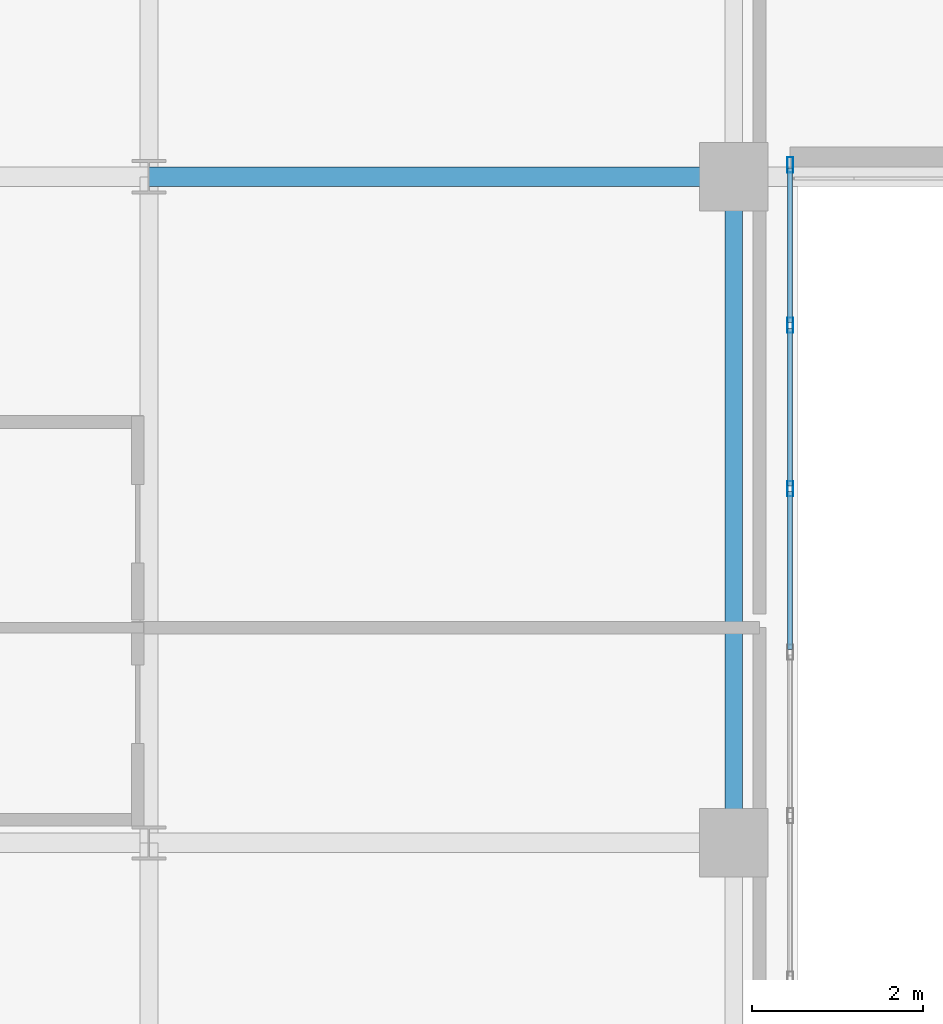
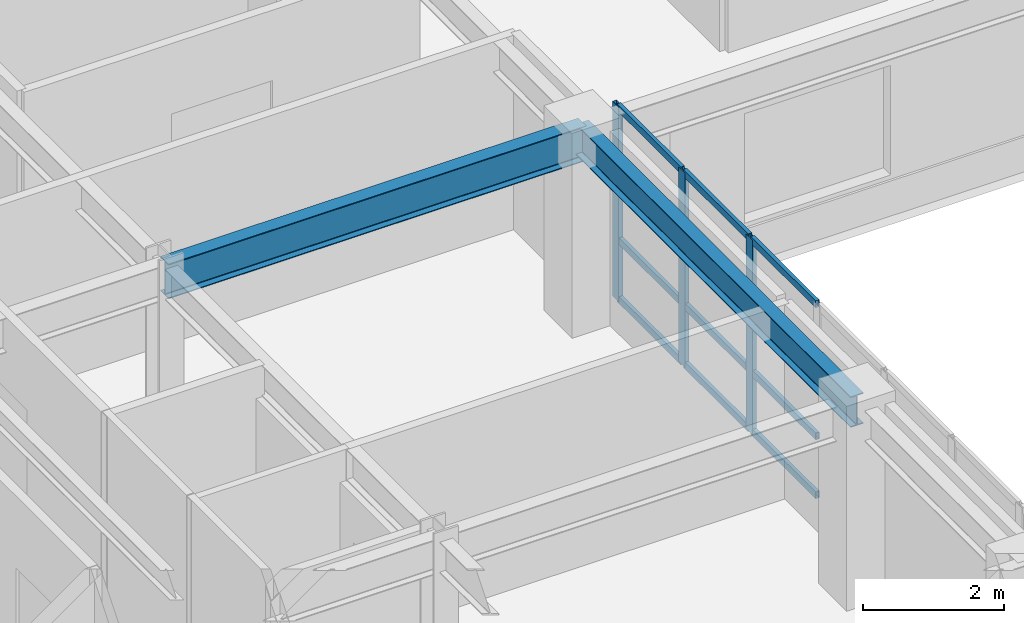
# One storey, part 5 of 20: 12 members, 2 beams, 1 element without a shape of its own.
"""IFC4 building model written with IfcOpenShell, lengths in metres."""

from ifc_helpers import new_model, si_unit, direction, frame, origin, origin_2d, place, context, subcontext, project, spatial, hollow_rectangle, i_section, extrude, source, transform, mapped, material, layer, layer_set, material_profile, profile_set, type_object, type_shapes, element, aggregate, save


model = new_model("IFC4")

# Units and contexts
model_context = context("Model", 3, precision=1e-05, world=origin(), true_north=direction((0.0, 1.0)))
body_context = subcontext(model_context, "Body", "Model", "MODEL_VIEW")
ifc_project = project(units=[si_unit("LENGTHUNIT", "METRE"), si_unit("AREAUNIT", "SQUARE_METRE"), si_unit("VOLUMEUNIT", "CUBIC_METRE"), si_unit("PLANEANGLEUNIT", "RADIAN"), si_unit("MASSUNIT", "GRAM", prefix="KILO")], contexts=[model_context])

# Site, building, storey
site_placement = place(None, origin())
site = spatial("IfcSite", under=ifc_project, at=site_placement, CompositionType="ELEMENT")
building_placement = place(site_placement, origin())
building = spatial("IfcBuilding", under=site, at=building_placement, Name="Tolvann Quenvar Hotel", CompositionType="ELEMENT")
storey_placement = place(building_placement, frame((0.0, 0.0, 175.449951171875)))
storey = spatial("IfcBuildingStorey", under=building, at=storey_placement, Name="L46", CompositionType="ELEMENT", Elevation=175.449951171875)

# Beams
ifc_material_1 = material(Name="Steel Grade 350", Category="steel")
ifc_material_profile_1 = material_profile(ifc_material_1, i_section(OverallWidth=0.208984375, OverallDepth=0.532958984375, WebThickness=0.01025390625, FlangeThickness=0.015625, FilletRadius=0.013916015625, at=origin_2d()), Name="530UB92")
ifc_profile_set_1 = profile_set([ifc_material_profile_1], Name="Steel Grade 350")
beam_type_1 = type_object("IfcBeamType", Name="BM_GIRD_530UB92", PredefinedType="BEAM", material=ifc_profile_set_1)
shared_shape_1 = source(origin(), body_context, "Body", "SweptSolid", [
    extrude(i_section(OverallWidth=0.208984375, OverallDepth=0.532958984375, WebThickness=0.01025390625, FlangeThickness=0.015625, FilletRadius=0.013916015625, at=origin_2d()), origin(), (0.0, 0.0, 1.0), 7.800048828125),
])
type_shapes(beam_type_1, [shared_shape_1])
beam_1_placement = place(storey_placement, frame((22.050048828125, 8.199951171875, 3.103515625), z_axis=(0.0, 1.0, 0.0), x_axis=(-1.0, 0.0, 0.0)))
element("IfcBeam", 1, at=beam_1_placement, inside=storey, type_object=beam_type_1, Name="BM-L46-NS-E3-E4", PredefinedType="BEAM", context=body_context, shape_type="MappedRepresentation", body=[
    mapped(shared_shape_1, transform((0.0, 0.0, 0.0), x_axis=(1.0, 0.0, 0.0), y_axis=(0.0, 1.0, 0.0), z_axis=(0.0, 0.0, 1.0), scale=1.0)),
])
ifc_material_profile_2 = material_profile(ifc_material_1, i_section(OverallWidth=0.22802734375, OverallDepth=0.60205078125, WebThickness=0.010498046875, FlangeThickness=0.014892578125, FilletRadius=0.013916015625, at=origin_2d()), Name="610UB101")
ifc_profile_set_2 = profile_set([ifc_material_profile_2], Name="Steel Grade 350")
beam_type_2 = type_object("IfcBeamType", Name="BM_GIRD_610UB101", PredefinedType="BEAM", material=ifc_profile_set_2)
shared_shape_2 = source(origin(), body_context, "Body", "SweptSolid", [
    extrude(i_section(OverallWidth=0.22802734375, OverallDepth=0.60205078125, WebThickness=0.010498046875, FlangeThickness=0.014892578125, FilletRadius=0.013916015625, at=origin_2d()), origin(), (0.0, 0.0, 1.0), 6.85009765625),
])
type_shapes(beam_type_2, [shared_shape_2])
beam_2_placement = place(storey_placement, frame((15.199951171875, 16.0, 3.069091796875), z_axis=(1.0, 0.0, 0.0), x_axis=(0.0, 1.0, 0.0)))
element("IfcBeam", 2, at=beam_2_placement, inside=storey, type_object=beam_type_2, Name="BM-L46-EW-4-D4-E4", PredefinedType="BEAM", context=body_context, shape_type="MappedRepresentation", body=[
    mapped(shared_shape_2, transform((0.0, 0.0, 0.0), x_axis=(1.0, 0.0, 0.0), y_axis=(0.0, 1.0, 0.0), z_axis=(0.0, 0.0, 1.0), scale=1.0)),
])

# Curtain wall, members
ifc_material_2 = material(Name="Thermally broken anodised architectural aluminium 6063-T6 and laminated low-E glass", Category="aluminium")
ifc_layer = layer(ifc_material_2, 0.179931640625)
ifc_layer_set = layer_set([ifc_layer], Name="Thermally broken anodised architectural aluminium 6063-T6 and laminated low-E glass")
curtain_wall_type = type_object("IfcCurtainWallType", Name="CW_SYS_SLOT_03", PredefinedType="USERDEFINED", material=ifc_layer_set)
curtain_wall_placement = place(storey_placement, origin())
curtain_wall = element("IfcCurtainWall", 3, at=curtain_wall_placement, inside=storey, type_object=curtain_wall_type, Name="Curtain Wall CW-SLOT-03 (CWR-L46-E05)", ObjectType="UNITISED CURTAIN WALL", PredefinedType="USERDEFINED")
ifc_material_3 = material(Name="Anodised architectural aluminium 6063-T6 framing", Category="aluminium")
ifc_material_profile_3 = material_profile(ifc_material_3, hollow_rectangle(XDim=0.070068359375, YDim=0.179931640625, WallThickness=0.00390625, at=origin_2d()), Name="180x70x4RHS")
ifc_profile_set_3 = profile_set([ifc_material_profile_3], Name="Anodised architectural aluminium 6063-T6 framing")
member_type_1 = type_object("IfcMemberType", Name="CW_MULL_180x70", PredefinedType="MULLION", material=ifc_profile_set_3)
shared_shape_3 = source(origin(), body_context, "Body", "SweptSolid", [
    extrude(hollow_rectangle(XDim=0.070068359375, YDim=0.179931640625, WallThickness=0.00390625, at=origin_2d()), origin(), (0.0, 0.0, 1.0), 3.3701171875),
])
type_shapes(member_type_1, [shared_shape_3])
member_1_placement = place(storey_placement, frame((22.7099609375, 12.346435546875, 0.0), z_axis=(0.0, 0.0, 1.0), x_axis=(-1.0, 0.0, 0.0)))
member_1 = element("IfcMember", 4, at=member_1_placement, type_object=member_type_1, Name="CW-SLOT-03 mullion 6", PredefinedType="MULLION", context=body_context, shape_type="MappedRepresentation", body=[
    mapped(shared_shape_3, transform((0.0, 0.0, 0.0), x_axis=(1.0, 0.0, 0.0), y_axis=(0.0, 1.0, 0.0), z_axis=(0.0, 0.0, 1.0), scale=1.0)),
])
member_2_placement = place(storey_placement, frame((22.7099609375, 14.2607421875, 0.0), z_axis=(0.0, 0.0, 1.0), x_axis=(-1.0, 0.0, 0.0)))
member_2 = element("IfcMember", 5, at=member_2_placement, type_object=member_type_1, Name="CW-SLOT-03 mullion 7", PredefinedType="MULLION", context=body_context, shape_type="MappedRepresentation", body=[
    mapped(shared_shape_3, transform((0.0, 0.0, 0.0), x_axis=(1.0, 0.0, 0.0), y_axis=(0.0, 1.0, 0.0), z_axis=(0.0, 0.0, 1.0), scale=1.0)),
])
member_3_placement = place(storey_placement, frame((22.7099609375, 16.139892578125, 0.0), z_axis=(0.0, 0.0, 1.0), x_axis=(-1.0, 0.0, 0.0)))
member_3 = element("IfcMember", 6, at=member_3_placement, type_object=member_type_1, Name="CW-SLOT-03 mullion 8", PredefinedType="MULLION", context=body_context, shape_type="MappedRepresentation", body=[
    mapped(shared_shape_3, transform((0.0, 0.0, 0.0), x_axis=(1.0, 0.0, 0.0), y_axis=(0.0, 1.0, 0.0), z_axis=(0.0, 0.0, 1.0), scale=1.0)),
])
ifc_material_profile_4 = material_profile(ifc_material_3, hollow_rectangle(XDim=0.06005859375, YDim=0.1201171875, WallThickness=0.00341796875, at=origin_2d()), Name="120x60x3.5RHS")
ifc_profile_set_4 = profile_set([ifc_material_profile_4], Name="Anodised architectural aluminium 6063-T6 framing")
member_type_2 = type_object("IfcMemberType", Name="CW_TRAN_120x60", PredefinedType="USERDEFINED", material=ifc_profile_set_4)
shared_shape_4 = source(origin(), body_context, "Body", "SweptSolid", [
    extrude(hollow_rectangle(XDim=0.06005859375, YDim=0.1201171875, WallThickness=0.00341796875, at=origin_2d()), origin(), (0.0, 0.0, 1.0), 1.809326171875),
])
member_4_placement = place(storey_placement, frame((22.7099609375, 14.295654296875, 0.030029296875), z_axis=(0.0, 1.0, 0.0), x_axis=(-1.0, 0.0, 0.0)))
member_4 = element("IfcMember", 7, at=member_4_placement, type_object=member_type_2, Name="CW-SLOT-03 transom 7.1", ObjectType="TRANSOM", PredefinedType="USERDEFINED", context=body_context, shape_type="MappedRepresentation", body=[
    mapped(shared_shape_4, transform((0.0, 0.0, 0.0), x_axis=(1.0, 0.0, 0.0), y_axis=(0.0, 1.0, 0.0), z_axis=(0.0, 0.0, 1.0), scale=1.0)),
])
member_5_placement = place(storey_placement, frame((22.7099609375, 14.295654296875, 1.050048828125), z_axis=(0.0, 1.0, 0.0), x_axis=(-1.0, 0.0, 0.0)))
member_5 = element("IfcMember", 8, at=member_5_placement, type_object=member_type_2, Name="CW-SLOT-03 transom 7.2", ObjectType="TRANSOM", PredefinedType="USERDEFINED", context=body_context, shape_type="MappedRepresentation", body=[
    mapped(shared_shape_4, transform((0.0, 0.0, 0.0), x_axis=(1.0, 0.0, 0.0), y_axis=(0.0, 1.0, 0.0), z_axis=(0.0, 0.0, 1.0), scale=1.0)),
])
member_6_placement = place(storey_placement, frame((22.7099609375, 14.295654296875, 3.340087890625), z_axis=(0.0, 1.0, 0.0), x_axis=(-1.0, 0.0, 0.0)))
member_6 = element("IfcMember", 9, at=member_6_placement, type_object=member_type_2, Name="CW-SLOT-03 transom 7.3", ObjectType="TRANSOM", PredefinedType="USERDEFINED", context=body_context, shape_type="MappedRepresentation", body=[
    mapped(shared_shape_4, transform((0.0, 0.0, 0.0), x_axis=(1.0, 0.0, 0.0), y_axis=(0.0, 1.0, 0.0), z_axis=(0.0, 0.0, 1.0), scale=1.0)),
])
shared_shape_5 = source(origin(), body_context, "Body", "SweptSolid", [
    extrude(hollow_rectangle(XDim=0.06005859375, YDim=0.1201171875, WallThickness=0.00341796875, at=origin_2d()), origin(), (0.0, 0.0, 1.0), 1.844482421875),
])
type_shapes(member_type_2, [shared_shape_4, shared_shape_5])
member_7_placement = place(storey_placement, frame((22.7099609375, 10.467041015625, 0.030029296875), z_axis=(0.0, 1.0, 0.0), x_axis=(-1.0, 0.0, 0.0)))
member_7 = element("IfcMember", 10, at=member_7_placement, type_object=member_type_2, Name="CW-SLOT-03 transom 5.1", ObjectType="TRANSOM", PredefinedType="USERDEFINED", context=body_context, shape_type="MappedRepresentation", body=[
    mapped(shared_shape_5, transform((0.0, 0.0, 0.0), x_axis=(1.0, 0.0, 0.0), y_axis=(0.0, 1.0, 0.0), z_axis=(0.0, 0.0, 1.0), scale=1.0)),
])
member_8_placement = place(storey_placement, frame((22.7099609375, 10.467041015625, 1.050048828125), z_axis=(0.0, 1.0, 0.0), x_axis=(-1.0, 0.0, 0.0)))
member_8 = element("IfcMember", 11, at=member_8_placement, type_object=member_type_2, Name="CW-SLOT-03 transom 5.2", ObjectType="TRANSOM", PredefinedType="USERDEFINED", context=body_context, shape_type="MappedRepresentation", body=[
    mapped(shared_shape_5, transform((0.0, 0.0, 0.0), x_axis=(1.0, 0.0, 0.0), y_axis=(0.0, 1.0, 0.0), z_axis=(0.0, 0.0, 1.0), scale=1.0)),
])
member_9_placement = place(storey_placement, frame((22.7099609375, 10.467041015625, 3.340087890625), z_axis=(0.0, 1.0, 0.0), x_axis=(-1.0, 0.0, 0.0)))
member_9 = element("IfcMember", 12, at=member_9_placement, type_object=member_type_2, Name="CW-SLOT-03 transom 5.3", ObjectType="TRANSOM", PredefinedType="USERDEFINED", context=body_context, shape_type="MappedRepresentation", body=[
    mapped(shared_shape_5, transform((0.0, 0.0, 0.0), x_axis=(1.0, 0.0, 0.0), y_axis=(0.0, 1.0, 0.0), z_axis=(0.0, 0.0, 1.0), scale=1.0)),
])
member_10_placement = place(storey_placement, frame((22.7099609375, 12.38134765625, 0.030029296875), z_axis=(0.0, 1.0, 0.0), x_axis=(-1.0, 0.0, 0.0)))
member_10 = element("IfcMember", 13, at=member_10_placement, type_object=member_type_2, Name="CW-SLOT-03 transom 6.1", ObjectType="TRANSOM", PredefinedType="USERDEFINED", context=body_context, shape_type="MappedRepresentation", body=[
    mapped(shared_shape_5, transform((0.0, 0.0, 0.0), x_axis=(1.0, 0.0, 0.0), y_axis=(0.0, 1.0, 0.0), z_axis=(0.0, 0.0, 1.0), scale=1.0)),
])
member_11_placement = place(storey_placement, frame((22.7099609375, 12.38134765625, 1.050048828125), z_axis=(0.0, 1.0, 0.0), x_axis=(-1.0, 0.0, 0.0)))
member_11 = element("IfcMember", 14, at=member_11_placement, type_object=member_type_2, Name="CW-SLOT-03 transom 6.2", ObjectType="TRANSOM", PredefinedType="USERDEFINED", context=body_context, shape_type="MappedRepresentation", body=[
    mapped(shared_shape_5, transform((0.0, 0.0, 0.0), x_axis=(1.0, 0.0, 0.0), y_axis=(0.0, 1.0, 0.0), z_axis=(0.0, 0.0, 1.0), scale=1.0)),
])
member_12_placement = place(storey_placement, frame((22.7099609375, 12.38134765625, 3.340087890625), z_axis=(0.0, 1.0, 0.0), x_axis=(-1.0, 0.0, 0.0)))
member_12 = element("IfcMember", 15, at=member_12_placement, type_object=member_type_2, Name="CW-SLOT-03 transom 6.3", ObjectType="TRANSOM", PredefinedType="USERDEFINED", context=body_context, shape_type="MappedRepresentation", body=[
    mapped(shared_shape_5, transform((0.0, 0.0, 0.0), x_axis=(1.0, 0.0, 0.0), y_axis=(0.0, 1.0, 0.0), z_axis=(0.0, 0.0, 1.0), scale=1.0)),
])
aggregate(curtain_wall, [member_1, member_2, member_3, member_7, member_8, member_9, member_10, member_11, member_12, member_4, member_5, member_6])

save(model, "model.ifc")
